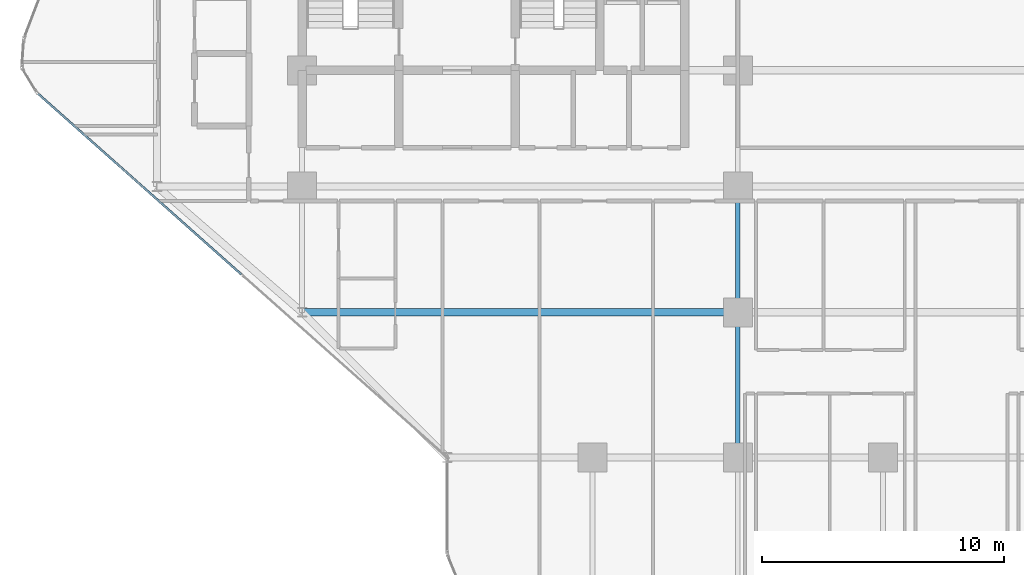
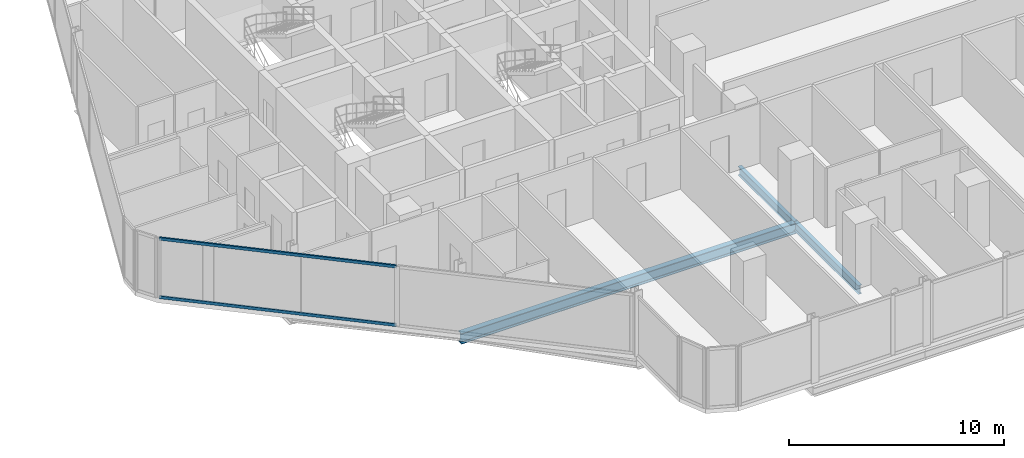
# One storey, part 5 of 33: 3 beams, 2 members, 1 element without a shape of its own.
"""IFC4 building model written with IfcOpenShell, lengths in metres."""

from ifc_helpers import new_model, si_unit, direction, frame, origin, origin_2d, place, context, subcontext, project, spatial, hollow_rectangle, i_section, extrude, material, layer, layer_set, material_profile, profile_set, type_object, element, aggregate, save


model = new_model("IFC4")

# Units and contexts
model_context = context("Model", 3, precision=1e-05, world=origin(), true_north=direction((0.0, 1.0)))
body_context = subcontext(model_context, "Body", "Model", "MODEL_VIEW")
ifc_project = project(units=[si_unit("LENGTHUNIT", "METRE"), si_unit("AREAUNIT", "SQUARE_METRE"), si_unit("VOLUMEUNIT", "CUBIC_METRE"), si_unit("PLANEANGLEUNIT", "RADIAN"), si_unit("MASSUNIT", "GRAM", prefix="KILO")], contexts=[model_context])

# Site, building, storey
site_placement = place(None, origin())
site = spatial("IfcSite", under=ifc_project, at=site_placement, CompositionType="ELEMENT")
building_placement = place(site_placement, origin())
building = spatial("IfcBuilding", under=site, at=building_placement, Name="Keshet Zoharim Tower", CompositionType="ELEMENT")
storey_placement = place(building_placement, frame((0.0, 0.0, 73.800048828125)))
storey = spatial("IfcBuildingStorey", under=building, at=storey_placement, Name="L17", CompositionType="ELEMENT", Elevation=73.800048828125)

# Beams
ifc_material_1 = material(Name="Steel S355", Category="steel")
ifc_material_profile_1 = material_profile(ifc_material_1, i_section(OverallWidth=0.300048828125, OverallDepth=0.60009765625, WebThickness=0.015380859375, FlangeThickness=0.030029296875, FilletRadius=0.027099609375, at=origin_2d()), Name="HEB600")
ifc_profile_set_1 = profile_set([ifc_material_profile_1], Name="Steel S355")
beam_type_1 = type_object("IfcBeamType", Name="BM-LNG-HB600", PredefinedType="BEAM", material=ifc_profile_set_1)
beam_1_placement = place(storey_placement, frame((15.0, 12.699951171875, -0.614990234375), z_axis=(1.0, 0.0, 0.0), x_axis=(0.0, 1.0, 0.0)))
element("IfcBeam", 1, at=beam_1_placement, inside=storey, type_object=beam_type_1, Name="L17 Primary Girder X-011", PredefinedType="BEAM", context=body_context, shape_type="SweptSolid", body=[
    extrude(i_section(OverallWidth=0.300048828125, OverallDepth=0.60009765625, WebThickness=0.015380859375, FlangeThickness=0.030029296875, FilletRadius=0.027099609375, at=origin_2d()), origin(), (0.0, 0.0, 1.0), 18.0),
])
ifc_material_profile_2 = material_profile(ifc_material_1, i_section(OverallWidth=0.199951171875, OverallDepth=0.5, WebThickness=0.01025390625, FlangeThickness=0.01611328125, FilletRadius=0.02099609375, at=origin_2d()), Name="IPE500")
ifc_profile_set_2 = profile_set([ifc_material_profile_2], Name="Steel S355")
beam_type_2 = type_object("IfcBeamType", Name="BM-PRI-IP500", PredefinedType="BEAM", material=ifc_profile_set_2)
beam_2_placement = place(storey_placement, frame((33.0, 6.699951171875, -0.56494140625), z_axis=(0.0, 1.0, 0.0), x_axis=(-1.0, 0.0, 0.0)))
element("IfcBeam", 2, at=beam_2_placement, inside=storey, type_object=beam_type_2, Name="L17 Primary Girder Y-006", PredefinedType="BEAM", context=body_context, shape_type="SweptSolid", body=[
    extrude(i_section(OverallWidth=0.199951171875, OverallDepth=0.5, WebThickness=0.01025390625, FlangeThickness=0.01611328125, FilletRadius=0.02099609375, at=origin_2d()), origin(), (0.0, 0.0, 1.0), 6.0),
])
beam_3_placement = place(storey_placement, frame((33.0, 12.699951171875, -0.56494140625), z_axis=(0.0, 1.0, 0.0), x_axis=(-1.0, 0.0, 0.0)))
element("IfcBeam", 3, at=beam_3_placement, inside=storey, type_object=beam_type_2, Name="L17 Primary Girder Y-007", PredefinedType="BEAM", context=body_context, shape_type="SweptSolid", body=[
    extrude(i_section(OverallWidth=0.199951171875, OverallDepth=0.5, WebThickness=0.01025390625, FlangeThickness=0.01611328125, FilletRadius=0.02099609375, at=origin_2d()), origin(), (0.0, 0.0, 1.0), 5.199951171875),
])

# Curtain wall, members
ifc_material_2 = material(Name="Aluminium 6063-T6", Category="aluminium")
ifc_layer = layer(ifc_material_2, 0.179931640625)
ifc_layer_set = layer_set([ifc_layer], Name="Aluminium 6063-T6")
curtain_wall_type = type_object("IfcCurtainWallType", Name="CW-SYS-01", PredefinedType="NOTDEFINED", material=ifc_layer_set)
curtain_wall_placement = place(storey_placement, origin())
curtain_wall = element("IfcCurtainWall", 4, at=curtain_wall_placement, inside=storey, type_object=curtain_wall_type, Name="L17 Unitised Curtain Wall 01", PredefinedType="NOTDEFINED")
ifc_material_profile_3 = material_profile(ifc_material_2, hollow_rectangle(XDim=0.0849609375, YDim=0.159912109375, WallThickness=0.00439453125, at=origin_2d()), Name="TRN-85x160")
ifc_profile_set_3 = profile_set([ifc_material_profile_3], Name="Aluminium 6063-T6")
member_type = type_object("IfcMemberType", Name="CWT-T16", PredefinedType="USERDEFINED", material=ifc_profile_set_3)
member_1_placement = place(storey_placement, frame((12.491455078125, 14.26318359375, 0.034912109375), z_axis=(-0.747411714548, 0.664361143472, 0.0), x_axis=(-0.664361143472, -0.747411714548, 0.0)))
member_1 = element("IfcMember", 5, at=member_1_placement, type_object=member_type, Name="CW-01 transom 2.1", ObjectType="TRANSOM", PredefinedType="USERDEFINED", context=body_context, shape_type="SweptSolid", body=[
    extrude(hollow_rectangle(XDim=0.0849609375, YDim=0.159912109375, WallThickness=0.00439453125, at=origin_2d()), origin(), (0.0, 0.0, 1.0), 11.244140625),
])
member_2_placement = place(storey_placement, frame((12.491455078125, 14.26318359375, 3.349853515625), z_axis=(-0.747411714548, 0.664361143472, 0.0), x_axis=(-0.664361143472, -0.747411714548, 0.0)))
member_2 = element("IfcMember", 6, at=member_2_placement, type_object=member_type, Name="CW-01 transom 2.2", ObjectType="TRANSOM", PredefinedType="USERDEFINED", context=body_context, shape_type="SweptSolid", body=[
    extrude(hollow_rectangle(XDim=0.0849609375, YDim=0.159912109375, WallThickness=0.00439453125, at=origin_2d()), origin(), (0.0, 0.0, 1.0), 11.244140625),
])
aggregate(curtain_wall, [member_1, member_2])

save(model, "model.ifc")
